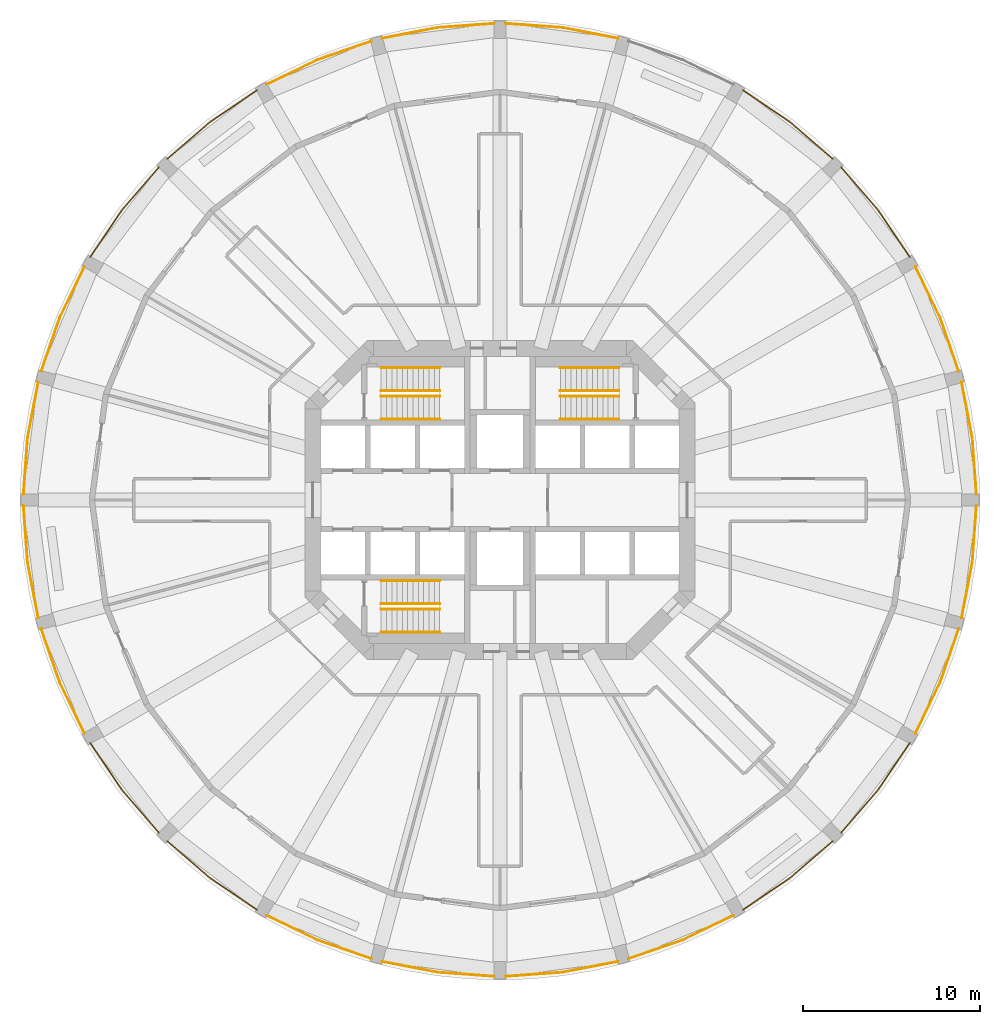
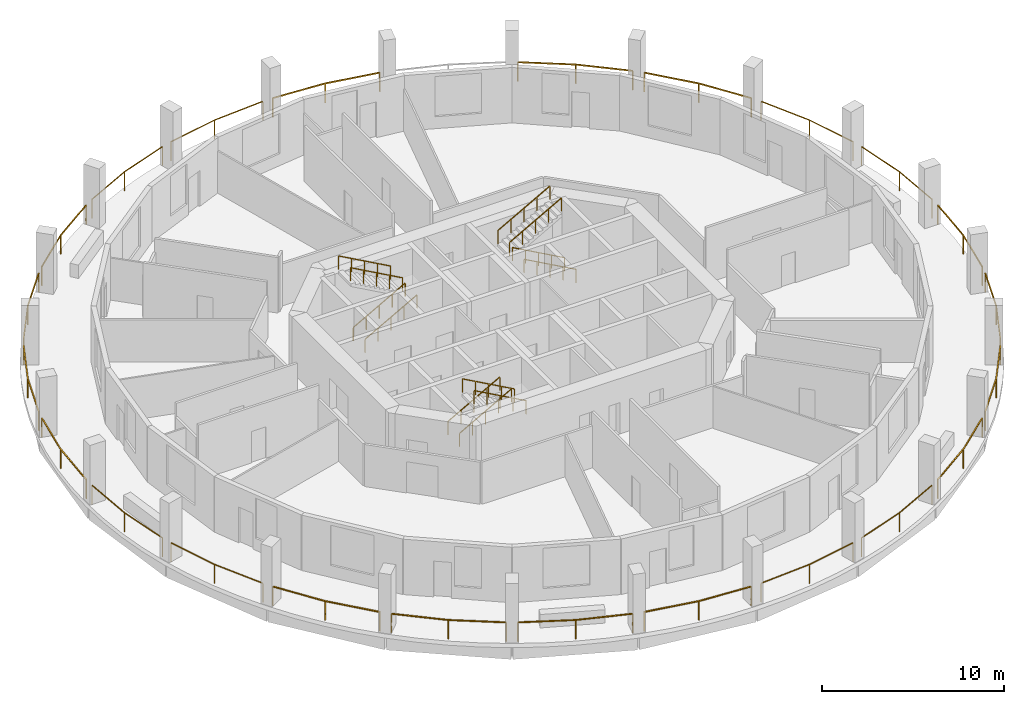
# One storey, part 8 of 9: 35 railings.
"""IFC4 building model written with IfcOpenShell, lengths in metres."""

from ifc_helpers import new_model, si_unit, direction, frame, origin, origin_2d, place, context, subcontext, project, spatial, rectangle, extrude, material, type_object, element, save


model = new_model("IFC4")

# Units and contexts
model_context = context("Model", 3, precision=1e-05, world=origin(), true_north=direction((0.0, 1.0)))
body_context = subcontext(model_context, "Body", "Model", "MODEL_VIEW")
ifc_project = project(units=[si_unit("LENGTHUNIT", "METRE"), si_unit("AREAUNIT", "SQUARE_METRE"), si_unit("VOLUMEUNIT", "CUBIC_METRE"), si_unit("PLANEANGLEUNIT", "RADIAN"), si_unit("MASSUNIT", "GRAM", prefix="KILO")], contexts=[model_context])

# Site, building, storey
site_placement = place(None, origin())
site = spatial("IfcSite", under=ifc_project, at=site_placement, CompositionType="ELEMENT")
building_placement = place(site_placement, origin())
building = spatial("IfcBuilding", under=site, at=building_placement, Name="Torre Triforio", CompositionType="ELEMENT")
storey_placement = place(building_placement, frame((0.0, 0.0, 31.0)))
storey = spatial("IfcBuildingStorey", under=building, at=storey_placement, Name="L05", CompositionType="ELEMENT", Elevation=31.0)

# Railings
ifc_material = material(Name="Stainless steel AISI 316", Category="steel")
railing_type_1 = type_object("IfcRailingType", Name="HANDRAIL 920", PredefinedType="HANDRAIL", material=ifc_material)
for number, where, name in (
    (1, (-6.699951171875, 4.550048828125, 0.166748046875), "Handrail ST1"),
    (2, (-6.699951171875, 5.85009765625, 0.166748046875), "Handrail ST1"),
):
    element("IfcRailing", number, at=place(storey_placement, frame(where)), inside=storey, type_object=railing_type_1, Name=name, PredefinedType="HANDRAIL", context=body_context, shape_type="SweptSolid", body=[
        extrude(rectangle(XDim=0.048095703125, YDim=0.048095703125, at=origin_2d()), frame((0.0, 0.0, 0.89599609375), z_axis=(0.874169478083, 0.0, 0.485620966999), x_axis=(0.0, 1.0, 0.0)), (0.0, 0.0, 1.0), 3.775146484375),
        extrude(rectangle(XDim=0.0419921875, YDim=0.0419921875, at=origin_2d()), origin(), (0.0, 0.0, 1.0), 0.871826171875),
        extrude(rectangle(XDim=0.0419921875, YDim=0.0419921875, at=origin_2d()), frame((0.824951171875, 0.0, 0.458251953125)), (0.0, 0.0, 1.0), 0.871826171875),
        extrude(rectangle(XDim=0.0419921875, YDim=0.0419921875, at=origin_2d()), frame((1.64990234375, 0.0, 0.91650390625)), (0.0, 0.0, 1.0), 0.871826171875),
        extrude(rectangle(XDim=0.0419921875, YDim=0.0419921875, at=origin_2d()), frame((2.47509765625, 0.0, 1.375)), (0.0, 0.0, 1.0), 0.871826171875),
        extrude(rectangle(XDim=0.0419921875, YDim=0.0419921875, at=origin_2d()), frame((3.300048828125, 0.0, 1.833251953125)), (0.0, 0.0, 1.0), 0.871826171875),
    ])
for number, where, name in (
    (3, (-3.39990234375, 7.449951171875, 2.166748046875), "Handrail ST1"),
    (4, (-3.39990234375, 6.14990234375, 2.166748046875), "Handrail ST1"),
    (5, (6.699951171875, 4.550048828125, 0.166748046875), "Handrail ST2"),
    (6, (6.699951171875, 5.85009765625, 0.166748046875), "Handrail ST2"),
):
    element("IfcRailing", number, at=place(storey_placement, frame(where)), inside=storey, type_object=railing_type_1, Name=name, PredefinedType="HANDRAIL", context=body_context, shape_type="SweptSolid", body=[
        extrude(rectangle(XDim=0.048095703125, YDim=0.048095703125, at=origin_2d()), frame((0.0, 0.0, 0.89599609375), z_axis=(-0.874169478083, 0.0, 0.485620966999), x_axis=(0.0, -1.0, 0.0)), (0.0, 0.0, 1.0), 3.775146484375),
        extrude(rectangle(XDim=0.0419921875, YDim=0.0419921875, at=origin_2d()), origin(), (0.0, 0.0, 1.0), 0.871826171875),
        extrude(rectangle(XDim=0.0419921875, YDim=0.0419921875, at=origin_2d()), frame((-0.824951171875, 0.0, 0.458251953125)), (0.0, 0.0, 1.0), 0.871826171875),
        extrude(rectangle(XDim=0.0419921875, YDim=0.0419921875, at=origin_2d()), frame((-1.64990234375, 0.0, 0.91650390625)), (0.0, 0.0, 1.0), 0.871826171875),
        extrude(rectangle(XDim=0.0419921875, YDim=0.0419921875, at=origin_2d()), frame((-2.47509765625, 0.0, 1.375)), (0.0, 0.0, 1.0), 0.871826171875),
        extrude(rectangle(XDim=0.0419921875, YDim=0.0419921875, at=origin_2d()), frame((-3.300048828125, 0.0, 1.833251953125)), (0.0, 0.0, 1.0), 0.871826171875),
    ])
for number, where, name in (
    (7, (3.39990234375, 7.449951171875, 2.166748046875), "Handrail ST2"),
    (8, (3.39990234375, 6.14990234375, 2.166748046875), "Handrail ST2"),
    (9, (-6.699951171875, -4.550048828125, 0.166748046875), "Handrail ST3"),
    (10, (-6.699951171875, -5.85009765625, 0.166748046875), "Handrail ST3"),
):
    element("IfcRailing", number, at=place(storey_placement, frame(where)), inside=storey, type_object=railing_type_1, Name=name, PredefinedType="HANDRAIL", context=body_context, shape_type="SweptSolid", body=[
        extrude(rectangle(XDim=0.048095703125, YDim=0.048095703125, at=origin_2d()), frame((0.0, 0.0, 0.89599609375), z_axis=(0.874169478083, 0.0, 0.485620966999), x_axis=(0.0, 1.0, 0.0)), (0.0, 0.0, 1.0), 3.775146484375),
        extrude(rectangle(XDim=0.0419921875, YDim=0.0419921875, at=origin_2d()), origin(), (0.0, 0.0, 1.0), 0.871826171875),
        extrude(rectangle(XDim=0.0419921875, YDim=0.0419921875, at=origin_2d()), frame((0.824951171875, 0.0, 0.458251953125)), (0.0, 0.0, 1.0), 0.871826171875),
        extrude(rectangle(XDim=0.0419921875, YDim=0.0419921875, at=origin_2d()), frame((1.64990234375, 0.0, 0.91650390625)), (0.0, 0.0, 1.0), 0.871826171875),
        extrude(rectangle(XDim=0.0419921875, YDim=0.0419921875, at=origin_2d()), frame((2.47509765625, 0.0, 1.375)), (0.0, 0.0, 1.0), 0.871826171875),
        extrude(rectangle(XDim=0.0419921875, YDim=0.0419921875, at=origin_2d()), frame((3.300048828125, 0.0, 1.833251953125)), (0.0, 0.0, 1.0), 0.871826171875),
    ])
for number, where, name in (
    (11, (-3.39990234375, -7.449951171875, 2.166748046875), "Handrail ST3"),
    (12, (-3.39990234375, -6.14990234375, 2.166748046875), "Handrail ST3"),
):
    element("IfcRailing", number, at=place(storey_placement, frame(where)), inside=storey, type_object=railing_type_1, Name=name, PredefinedType="HANDRAIL", context=body_context, shape_type="SweptSolid", body=[
        extrude(rectangle(XDim=0.048095703125, YDim=0.048095703125, at=origin_2d()), frame((0.0, 0.0, 0.89599609375), z_axis=(-0.874169478083, 0.0, 0.485620966999), x_axis=(0.0, -1.0, 0.0)), (0.0, 0.0, 1.0), 3.775146484375),
        extrude(rectangle(XDim=0.0419921875, YDim=0.0419921875, at=origin_2d()), origin(), (0.0, 0.0, 1.0), 0.871826171875),
        extrude(rectangle(XDim=0.0419921875, YDim=0.0419921875, at=origin_2d()), frame((-0.824951171875, 0.0, 0.458251953125)), (0.0, 0.0, 1.0), 0.871826171875),
        extrude(rectangle(XDim=0.0419921875, YDim=0.0419921875, at=origin_2d()), frame((-1.64990234375, 0.0, 0.91650390625)), (0.0, 0.0, 1.0), 0.871826171875),
        extrude(rectangle(XDim=0.0419921875, YDim=0.0419921875, at=origin_2d()), frame((-2.47509765625, 0.0, 1.375)), (0.0, 0.0, 1.0), 0.871826171875),
        extrude(rectangle(XDim=0.0419921875, YDim=0.0419921875, at=origin_2d()), frame((-3.300048828125, 0.0, 1.833251953125)), (0.0, 0.0, 1.0), 0.871826171875),
    ])
railing_type_2 = type_object("IfcRailingType", Name="Loggia guard 1300", PredefinedType="GUARDRAIL", material=ifc_material)
railing_1_placement = place(storey_placement, frame((26.85009765625, 0.320068359375, 0.0)))
element("IfcRailing", 13, at=railing_1_placement, inside=storey, type_object=railing_type_2, Name="Loggia guard L05 bay 01", PredefinedType="GUARDRAIL", context=body_context, shape_type="SweptSolid", body=[
    extrude(rectangle(XDim=0.050048828125, YDim=0.050048828125, at=origin_2d()), frame((0.0, 0.0, 1.27490234375), z_axis=(-0.071953458998, 0.997407990613, 0.0), x_axis=(-0.997407990613, -0.071953458998, 0.0)), (0.0, 0.0, 1.0), 3.19287109375),
    extrude(rectangle(XDim=0.050048828125, YDim=0.050048828125, at=origin_2d()), frame((-0.229736328125, 3.1845703125, 1.27490234375), z_axis=(-0.188714097365, 0.982032071501, 0.0), x_axis=(-0.982032071501, -0.188714097365, 0.0)), (0.0, 0.0, 1.0), 3.19287109375),
    extrude(rectangle(XDim=0.0400390625, YDim=0.0400390625, at=origin_2d()), origin(), (0.0, 0.0, 1.0), 1.25),
    extrude(rectangle(XDim=0.0400390625, YDim=0.0400390625, at=origin_2d()), frame((-0.229736328125, 3.1845703125, 0.0)), (0.0, 0.0, 1.0), 1.25),
    extrude(rectangle(XDim=0.0400390625, YDim=0.0400390625, at=origin_2d()), frame((-0.832275390625, 6.320068359375, 0.0)), (0.0, 0.0, 1.0), 1.25),
])
railing_2_placement = place(storey_placement, frame((25.852294921875, 7.25830078125, 0.0)))
element("IfcRailing", 14, at=railing_2_placement, inside=storey, type_object=railing_type_2, Name="Loggia guard L05 bay 02", PredefinedType="GUARDRAIL", context=body_context, shape_type="SweptSolid", body=[
    extrude(rectangle(XDim=0.050048828125, YDim=0.050048828125, at=origin_2d()), frame((0.0, 0.0, 1.27490234375), z_axis=(-0.327627852034, 0.94480685358, 0.0), x_axis=(-0.94480685358, -0.327627852034, 0.0)), (0.0, 0.0, 1.0), 3.193115234375),
    extrude(rectangle(XDim=0.050048828125, YDim=0.050048828125, at=origin_2d()), frame((-1.046142578125, 3.016845703125, 1.27490234375), z_axis=(-0.436384192305, 0.899760432952, 0.0), x_axis=(-0.899760432952, -0.436384192305, 0.0)), (0.0, 0.0, 1.0), 3.19287109375),
    extrude(rectangle(XDim=0.0400390625, YDim=0.0400390625, at=origin_2d()), origin(), (0.0, 0.0, 1.0), 1.25),
    extrude(rectangle(XDim=0.0400390625, YDim=0.0400390625, at=origin_2d()), frame((-1.046142578125, 3.016845703125, 0.0)), (0.0, 0.0, 1.0), 1.25),
    extrude(rectangle(XDim=0.0400390625, YDim=0.0400390625, at=origin_2d()), frame((-2.439453125, 5.8896484375, 0.0)), (0.0, 0.0, 1.0), 1.25),
])
railing_3_placement = place(storey_placement, frame((23.0927734375, 13.7021484375, 0.0)))
element("IfcRailing", 15, at=railing_3_placement, inside=storey, type_object=railing_type_2, Name="Loggia guard L05 bay 03", PredefinedType="GUARDRAIL", context=body_context, shape_type="SweptSolid", body=[
    extrude(rectangle(XDim=0.050048828125, YDim=0.050048828125, at=origin_2d()), frame((0.0, 0.0, 1.27490234375), z_axis=(-0.561018896338, 0.82780299465, 0.0), x_axis=(-0.82780299465, -0.561018896338, 0.0)), (0.0, 0.0, 1.0), 3.19287109375),
    extrude(rectangle(XDim=0.050048828125, YDim=0.050048828125, at=origin_2d()), frame((-1.791259765625, 2.64306640625, 1.27490234375), z_axis=(-0.654385993255, 0.756160678581, 0.0), x_axis=(-0.756160678581, -0.654385993255, 0.0)), (0.0, 0.0, 1.0), 3.19287109375),
    extrude(rectangle(XDim=0.0400390625, YDim=0.0400390625, at=origin_2d()), origin(), (0.0, 0.0, 1.0), 1.25),
    extrude(rectangle(XDim=0.0400390625, YDim=0.0400390625, at=origin_2d()), frame((-1.791259765625, 2.64306640625, 0.0)), (0.0, 0.0, 1.0), 1.25),
    extrude(rectangle(XDim=0.0400390625, YDim=0.0400390625, at=origin_2d()), frame((-3.880615234375, 5.057373046875, 0.0)), (0.0, 0.0, 1.0), 1.25),
])
railing_4_placement = place(storey_placement, frame((18.759521484375, 19.212158203125, 0.0)))
element("IfcRailing", 16, at=railing_4_placement, inside=storey, type_object=railing_type_2, Name="Loggia guard L05 bay 04", PredefinedType="GUARDRAIL", context=body_context, shape_type="SweptSolid", body=[
    extrude(rectangle(XDim=0.050048828125, YDim=0.050048828125, at=origin_2d()), frame((0.0, 0.0, 1.27490234375), z_axis=(-0.756160678581, 0.654385993255, 0.0), x_axis=(-0.654385993255, -0.756160678581, 0.0)), (0.0, 0.0, 1.0), 3.19287109375),
    extrude(rectangle(XDim=0.050048828125, YDim=0.050048828125, at=origin_2d()), frame((-2.414306640625, 2.08935546875, 1.27490234375), z_axis=(-0.82780299465, 0.561018896338, 0.0), x_axis=(-0.561018896338, -0.82780299465, 0.0)), (0.0, 0.0, 1.0), 3.19287109375),
    extrude(rectangle(XDim=0.0400390625, YDim=0.0400390625, at=origin_2d()), origin(), (0.0, 0.0, 1.0), 1.25),
    extrude(rectangle(XDim=0.0400390625, YDim=0.0400390625, at=origin_2d()), frame((-2.414306640625, 2.08935546875, 0.0)), (0.0, 0.0, 1.0), 1.25),
    extrude(rectangle(XDim=0.0400390625, YDim=0.0400390625, at=origin_2d()), frame((-5.057373046875, 3.880615234375, 0.0)), (0.0, 0.0, 1.0), 1.25),
])
railing_5_placement = place(storey_placement, frame((6.64013671875, 26.017822265625, 0.0)))
element("IfcRailing", 17, at=railing_5_placement, inside=storey, type_object=railing_type_2, Name="Loggia guard L05 bay 06", PredefinedType="GUARDRAIL", context=body_context, shape_type="SweptSolid", body=[
    extrude(rectangle(XDim=0.050048828125, YDim=0.050048828125, at=origin_2d()), frame((0.0, 0.0, 1.27490234375), z_axis=(-0.982032071501, 0.188714097365, 0.0), x_axis=(-0.188714097365, -0.982032071501, 0.0)), (0.0, 0.0, 1.0), 3.19287109375),
    extrude(rectangle(XDim=0.050048828125, YDim=0.050048828125, at=origin_2d()), frame((-3.135498046875, 0.6025390625, 1.27490234375), z_axis=(-0.997407990613, 0.071953458998, 0.0), x_axis=(-0.071953458998, -0.997407990613, 0.0)), (0.0, 0.0, 1.0), 3.19287109375),
    extrude(rectangle(XDim=0.0400390625, YDim=0.0400390625, at=origin_2d()), origin(), (0.0, 0.0, 1.0), 1.25),
    extrude(rectangle(XDim=0.0400390625, YDim=0.0400390625, at=origin_2d()), frame((-3.135498046875, 0.6025390625, 0.0)), (0.0, 0.0, 1.0), 1.25),
    extrude(rectangle(XDim=0.0400390625, YDim=0.0400390625, at=origin_2d()), frame((-6.320068359375, 0.832275390625, 0.0)), (0.0, 0.0, 1.0), 1.25),
])
railing_6_placement = place(storey_placement, frame((-0.320068359375, 26.85009765625, 0.0)))
element("IfcRailing", 18, at=railing_6_placement, inside=storey, type_object=railing_type_2, Name="Loggia guard L05 bay 07", PredefinedType="GUARDRAIL", context=body_context, shape_type="SweptSolid", body=[
    extrude(rectangle(XDim=0.050048828125, YDim=0.050048828125, at=origin_2d()), frame((0.0, 0.0, 1.27490234375), z_axis=(-0.997407990613, -0.071953458998, 0.0), x_axis=(0.071953458998, -0.997407990613, 0.0)), (0.0, 0.0, 1.0), 3.19287109375),
    extrude(rectangle(XDim=0.050048828125, YDim=0.050048828125, at=origin_2d()), frame((-3.1845703125, -0.229736328125, 1.27490234375), z_axis=(-0.982032071501, -0.188714097365, 0.0), x_axis=(0.188714097365, -0.982032071501, 0.0)), (0.0, 0.0, 1.0), 3.19287109375),
    extrude(rectangle(XDim=0.0400390625, YDim=0.0400390625, at=origin_2d()), origin(), (0.0, 0.0, 1.0), 1.25),
    extrude(rectangle(XDim=0.0400390625, YDim=0.0400390625, at=origin_2d()), frame((-3.1845703125, -0.229736328125, 0.0)), (0.0, 0.0, 1.0), 1.25),
    extrude(rectangle(XDim=0.0400390625, YDim=0.0400390625, at=origin_2d()), frame((-6.320068359375, -0.832275390625, 0.0)), (0.0, 0.0, 1.0), 1.25),
])
railing_7_placement = place(storey_placement, frame((-7.25830078125, 25.852294921875, 0.0)))
element("IfcRailing", 19, at=railing_7_placement, inside=storey, type_object=railing_type_2, Name="Loggia guard L05 bay 08", PredefinedType="GUARDRAIL", context=body_context, shape_type="SweptSolid", body=[
    extrude(rectangle(XDim=0.050048828125, YDim=0.050048828125, at=origin_2d()), frame((0.0, 0.0, 1.27490234375), z_axis=(-0.94480685358, -0.327627852034, 0.0), x_axis=(0.327627852034, -0.94480685358, 0.0)), (0.0, 0.0, 1.0), 3.193115234375),
    extrude(rectangle(XDim=0.050048828125, YDim=0.050048828125, at=origin_2d()), frame((-3.016845703125, -1.046142578125, 1.27490234375), z_axis=(-0.899760432952, -0.436384192305, 0.0), x_axis=(0.436384192305, -0.899760432952, 0.0)), (0.0, 0.0, 1.0), 3.19287109375),
    extrude(rectangle(XDim=0.0400390625, YDim=0.0400390625, at=origin_2d()), origin(), (0.0, 0.0, 1.0), 1.25),
    extrude(rectangle(XDim=0.0400390625, YDim=0.0400390625, at=origin_2d()), frame((-3.016845703125, -1.046142578125, 0.0)), (0.0, 0.0, 1.0), 1.25),
    extrude(rectangle(XDim=0.0400390625, YDim=0.0400390625, at=origin_2d()), frame((-5.8896484375, -2.439453125, 0.0)), (0.0, 0.0, 1.0), 1.25),
])
railing_8_placement = place(storey_placement, frame((-13.7021484375, 23.0927734375, 0.0)))
element("IfcRailing", 20, at=railing_8_placement, inside=storey, type_object=railing_type_2, Name="Loggia guard L05 bay 09", PredefinedType="GUARDRAIL", context=body_context, shape_type="SweptSolid", body=[
    extrude(rectangle(XDim=0.050048828125, YDim=0.050048828125, at=origin_2d()), frame((0.0, 0.0, 1.27490234375), z_axis=(-0.82780299465, -0.561018896338, 0.0), x_axis=(0.561018896338, -0.82780299465, 0.0)), (0.0, 0.0, 1.0), 3.19287109375),
    extrude(rectangle(XDim=0.050048828125, YDim=0.050048828125, at=origin_2d()), frame((-2.64306640625, -1.791259765625, 1.27490234375), z_axis=(-0.756160678581, -0.654385993255, 0.0), x_axis=(0.654385993255, -0.756160678581, 0.0)), (0.0, 0.0, 1.0), 3.19287109375),
    extrude(rectangle(XDim=0.0400390625, YDim=0.0400390625, at=origin_2d()), origin(), (0.0, 0.0, 1.0), 1.25),
    extrude(rectangle(XDim=0.0400390625, YDim=0.0400390625, at=origin_2d()), frame((-2.64306640625, -1.791259765625, 0.0)), (0.0, 0.0, 1.0), 1.25),
    extrude(rectangle(XDim=0.0400390625, YDim=0.0400390625, at=origin_2d()), frame((-5.057373046875, -3.880615234375, 0.0)), (0.0, 0.0, 1.0), 1.25),
])
railing_9_placement = place(storey_placement, frame((-19.212158203125, 18.759521484375, 0.0)))
element("IfcRailing", 21, at=railing_9_placement, inside=storey, type_object=railing_type_2, Name="Loggia guard L05 bay 10", PredefinedType="GUARDRAIL", context=body_context, shape_type="SweptSolid", body=[
    extrude(rectangle(XDim=0.050048828125, YDim=0.050048828125, at=origin_2d()), frame((0.0, 0.0, 1.27490234375), z_axis=(-0.654385993255, -0.756160678581, 0.0), x_axis=(0.756160678581, -0.654385993255, 0.0)), (0.0, 0.0, 1.0), 3.19287109375),
    extrude(rectangle(XDim=0.050048828125, YDim=0.050048828125, at=origin_2d()), frame((-2.08935546875, -2.414306640625, 1.27490234375), z_axis=(-0.561018896338, -0.82780299465, 0.0), x_axis=(0.82780299465, -0.561018896338, 0.0)), (0.0, 0.0, 1.0), 3.19287109375),
    extrude(rectangle(XDim=0.0400390625, YDim=0.0400390625, at=origin_2d()), origin(), (0.0, 0.0, 1.0), 1.25),
    extrude(rectangle(XDim=0.0400390625, YDim=0.0400390625, at=origin_2d()), frame((-2.08935546875, -2.414306640625, 0.0)), (0.0, 0.0, 1.0), 1.25),
    extrude(rectangle(XDim=0.0400390625, YDim=0.0400390625, at=origin_2d()), frame((-3.880615234375, -5.057373046875, 0.0)), (0.0, 0.0, 1.0), 1.25),
])
railing_10_placement = place(storey_placement, frame((-23.412841796875, 13.14794921875, 0.0)))
element("IfcRailing", 22, at=railing_10_placement, inside=storey, type_object=railing_type_2, Name="Loggia guard L05 bay 11", PredefinedType="GUARDRAIL", context=body_context, shape_type="SweptSolid", body=[
    extrude(rectangle(XDim=0.050048828125, YDim=0.050048828125, at=origin_2d()), frame((0.0, 0.0, 1.27490234375), z_axis=(-0.436384192305, -0.899760432952, 0.0), x_axis=(0.899760432952, -0.436384192305, 0.0)), (0.0, 0.0, 1.0), 3.19287109375),
    extrude(rectangle(XDim=0.050048828125, YDim=0.050048828125, at=origin_2d()), frame((-1.393310546875, -2.872802734375, 1.27490234375), z_axis=(-0.327627852034, -0.94480685358, 0.0), x_axis=(0.94480685358, -0.327627852034, 0.0)), (0.0, 0.0, 1.0), 3.193115234375),
    extrude(rectangle(XDim=0.0400390625, YDim=0.0400390625, at=origin_2d()), origin(), (0.0, 0.0, 1.0), 1.25),
    extrude(rectangle(XDim=0.0400390625, YDim=0.0400390625, at=origin_2d()), frame((-1.393310546875, -2.872802734375, 0.0)), (0.0, 0.0, 1.0), 1.25),
    extrude(rectangle(XDim=0.0400390625, YDim=0.0400390625, at=origin_2d()), frame((-2.439453125, -5.8896484375, 0.0)), (0.0, 0.0, 1.0), 1.25),
])
railing_11_placement = place(storey_placement, frame((-26.017822265625, 6.64013671875, 0.0)))
element("IfcRailing", 23, at=railing_11_placement, inside=storey, type_object=railing_type_2, Name="Loggia guard L05 bay 12", PredefinedType="GUARDRAIL", context=body_context, shape_type="SweptSolid", body=[
    extrude(rectangle(XDim=0.050048828125, YDim=0.050048828125, at=origin_2d()), frame((0.0, 0.0, 1.27490234375), z_axis=(-0.188714097365, -0.982032071501, 0.0), x_axis=(0.982032071501, -0.188714097365, 0.0)), (0.0, 0.0, 1.0), 3.19287109375),
    extrude(rectangle(XDim=0.050048828125, YDim=0.050048828125, at=origin_2d()), frame((-0.6025390625, -3.135498046875, 1.27490234375), z_axis=(-0.071953458998, -0.997407990613, 0.0), x_axis=(0.997407990613, -0.071953458998, 0.0)), (0.0, 0.0, 1.0), 3.19287109375),
    extrude(rectangle(XDim=0.0400390625, YDim=0.0400390625, at=origin_2d()), origin(), (0.0, 0.0, 1.0), 1.25),
    extrude(rectangle(XDim=0.0400390625, YDim=0.0400390625, at=origin_2d()), frame((-0.6025390625, -3.135498046875, 0.0)), (0.0, 0.0, 1.0), 1.25),
    extrude(rectangle(XDim=0.0400390625, YDim=0.0400390625, at=origin_2d()), frame((-0.832275390625, -6.320068359375, 0.0)), (0.0, 0.0, 1.0), 1.25),
])
railing_12_placement = place(storey_placement, frame((-26.85009765625, -0.320068359375, 0.0)))
element("IfcRailing", 24, at=railing_12_placement, inside=storey, type_object=railing_type_2, Name="Loggia guard L05 bay 13", PredefinedType="GUARDRAIL", context=body_context, shape_type="SweptSolid", body=[
    extrude(rectangle(XDim=0.050048828125, YDim=0.050048828125, at=origin_2d()), frame((0.0, 0.0, 1.27490234375), z_axis=(0.071953458998, -0.997407990613, 0.0), x_axis=(0.997407990613, 0.071953458998, 0.0)), (0.0, 0.0, 1.0), 3.19287109375),
    extrude(rectangle(XDim=0.050048828125, YDim=0.050048828125, at=origin_2d()), frame((0.229736328125, -3.1845703125, 1.27490234375), z_axis=(0.188714097365, -0.982032071501, 0.0), x_axis=(0.982032071501, 0.188714097365, 0.0)), (0.0, 0.0, 1.0), 3.19287109375),
    extrude(rectangle(XDim=0.0400390625, YDim=0.0400390625, at=origin_2d()), origin(), (0.0, 0.0, 1.0), 1.25),
    extrude(rectangle(XDim=0.0400390625, YDim=0.0400390625, at=origin_2d()), frame((0.229736328125, -3.1845703125, 0.0)), (0.0, 0.0, 1.0), 1.25),
    extrude(rectangle(XDim=0.0400390625, YDim=0.0400390625, at=origin_2d()), frame((0.832275390625, -6.320068359375, 0.0)), (0.0, 0.0, 1.0), 1.25),
])
railing_13_placement = place(storey_placement, frame((-25.852294921875, -7.25830078125, 0.0)))
element("IfcRailing", 25, at=railing_13_placement, inside=storey, type_object=railing_type_2, Name="Loggia guard L05 bay 14", PredefinedType="GUARDRAIL", context=body_context, shape_type="SweptSolid", body=[
    extrude(rectangle(XDim=0.050048828125, YDim=0.050048828125, at=origin_2d()), frame((0.0, 0.0, 1.27490234375), z_axis=(0.327627852034, -0.94480685358, 0.0), x_axis=(0.94480685358, 0.327627852034, 0.0)), (0.0, 0.0, 1.0), 3.193115234375),
    extrude(rectangle(XDim=0.050048828125, YDim=0.050048828125, at=origin_2d()), frame((1.046142578125, -3.016845703125, 1.27490234375), z_axis=(0.436384192305, -0.899760432952, 0.0), x_axis=(0.899760432952, 0.436384192305, 0.0)), (0.0, 0.0, 1.0), 3.19287109375),
    extrude(rectangle(XDim=0.0400390625, YDim=0.0400390625, at=origin_2d()), origin(), (0.0, 0.0, 1.0), 1.25),
    extrude(rectangle(XDim=0.0400390625, YDim=0.0400390625, at=origin_2d()), frame((1.046142578125, -3.016845703125, 0.0)), (0.0, 0.0, 1.0), 1.25),
    extrude(rectangle(XDim=0.0400390625, YDim=0.0400390625, at=origin_2d()), frame((2.439453125, -5.8896484375, 0.0)), (0.0, 0.0, 1.0), 1.25),
])
railing_14_placement = place(storey_placement, frame((-23.0927734375, -13.7021484375, 0.0)))
element("IfcRailing", 26, at=railing_14_placement, inside=storey, type_object=railing_type_2, Name="Loggia guard L05 bay 15", PredefinedType="GUARDRAIL", context=body_context, shape_type="SweptSolid", body=[
    extrude(rectangle(XDim=0.050048828125, YDim=0.050048828125, at=origin_2d()), frame((0.0, 0.0, 1.27490234375), z_axis=(0.561018896338, -0.82780299465, 0.0), x_axis=(0.82780299465, 0.561018896338, 0.0)), (0.0, 0.0, 1.0), 3.19287109375),
    extrude(rectangle(XDim=0.050048828125, YDim=0.050048828125, at=origin_2d()), frame((1.791259765625, -2.64306640625, 1.27490234375), z_axis=(0.654385993255, -0.756160678581, 0.0), x_axis=(0.756160678581, 0.654385993255, 0.0)), (0.0, 0.0, 1.0), 3.19287109375),
    extrude(rectangle(XDim=0.0400390625, YDim=0.0400390625, at=origin_2d()), origin(), (0.0, 0.0, 1.0), 1.25),
    extrude(rectangle(XDim=0.0400390625, YDim=0.0400390625, at=origin_2d()), frame((1.791259765625, -2.64306640625, 0.0)), (0.0, 0.0, 1.0), 1.25),
    extrude(rectangle(XDim=0.0400390625, YDim=0.0400390625, at=origin_2d()), frame((3.880615234375, -5.057373046875, 0.0)), (0.0, 0.0, 1.0), 1.25),
])
railing_15_placement = place(storey_placement, frame((-18.759521484375, -19.212158203125, 0.0)))
element("IfcRailing", 27, at=railing_15_placement, inside=storey, type_object=railing_type_2, Name="Loggia guard L05 bay 16", PredefinedType="GUARDRAIL", context=body_context, shape_type="SweptSolid", body=[
    extrude(rectangle(XDim=0.050048828125, YDim=0.050048828125, at=origin_2d()), frame((0.0, 0.0, 1.27490234375), z_axis=(0.756160678581, -0.654385993255, 0.0), x_axis=(0.654385993255, 0.756160678581, 0.0)), (0.0, 0.0, 1.0), 3.19287109375),
    extrude(rectangle(XDim=0.050048828125, YDim=0.050048828125, at=origin_2d()), frame((2.414306640625, -2.08935546875, 1.27490234375), z_axis=(0.82780299465, -0.561018896338, 0.0), x_axis=(0.561018896338, 0.82780299465, 0.0)), (0.0, 0.0, 1.0), 3.19287109375),
    extrude(rectangle(XDim=0.0400390625, YDim=0.0400390625, at=origin_2d()), origin(), (0.0, 0.0, 1.0), 1.25),
    extrude(rectangle(XDim=0.0400390625, YDim=0.0400390625, at=origin_2d()), frame((2.414306640625, -2.08935546875, 0.0)), (0.0, 0.0, 1.0), 1.25),
    extrude(rectangle(XDim=0.0400390625, YDim=0.0400390625, at=origin_2d()), frame((5.057373046875, -3.880615234375, 0.0)), (0.0, 0.0, 1.0), 1.25),
])
railing_16_placement = place(storey_placement, frame((-13.14794921875, -23.412841796875, 0.0)))
element("IfcRailing", 28, at=railing_16_placement, inside=storey, type_object=railing_type_2, Name="Loggia guard L05 bay 17", PredefinedType="GUARDRAIL", context=body_context, shape_type="SweptSolid", body=[
    extrude(rectangle(XDim=0.050048828125, YDim=0.050048828125, at=origin_2d()), frame((0.0, 0.0, 1.27490234375), z_axis=(0.899760432952, -0.436384192305, 0.0), x_axis=(0.436384192305, 0.899760432952, 0.0)), (0.0, 0.0, 1.0), 3.19287109375),
    extrude(rectangle(XDim=0.050048828125, YDim=0.050048828125, at=origin_2d()), frame((2.872802734375, -1.393310546875, 1.27490234375), z_axis=(0.94480685358, -0.327627852034, 0.0), x_axis=(0.327627852034, 0.94480685358, 0.0)), (0.0, 0.0, 1.0), 3.193115234375),
    extrude(rectangle(XDim=0.0400390625, YDim=0.0400390625, at=origin_2d()), origin(), (0.0, 0.0, 1.0), 1.25),
    extrude(rectangle(XDim=0.0400390625, YDim=0.0400390625, at=origin_2d()), frame((2.872802734375, -1.393310546875, 0.0)), (0.0, 0.0, 1.0), 1.25),
    extrude(rectangle(XDim=0.0400390625, YDim=0.0400390625, at=origin_2d()), frame((5.8896484375, -2.439453125, 0.0)), (0.0, 0.0, 1.0), 1.25),
])
railing_17_placement = place(storey_placement, frame((-6.64013671875, -26.017822265625, 0.0)))
element("IfcRailing", 29, at=railing_17_placement, inside=storey, type_object=railing_type_2, Name="Loggia guard L05 bay 18", PredefinedType="GUARDRAIL", context=body_context, shape_type="SweptSolid", body=[
    extrude(rectangle(XDim=0.050048828125, YDim=0.050048828125, at=origin_2d()), frame((0.0, 0.0, 1.27490234375), z_axis=(0.982032071501, -0.188714097365, 0.0), x_axis=(0.188714097365, 0.982032071501, 0.0)), (0.0, 0.0, 1.0), 3.19287109375),
    extrude(rectangle(XDim=0.050048828125, YDim=0.050048828125, at=origin_2d()), frame((3.135498046875, -0.6025390625, 1.27490234375), z_axis=(0.997407990613, -0.071953458998, 0.0), x_axis=(0.071953458998, 0.997407990613, 0.0)), (0.0, 0.0, 1.0), 3.19287109375),
    extrude(rectangle(XDim=0.0400390625, YDim=0.0400390625, at=origin_2d()), origin(), (0.0, 0.0, 1.0), 1.25),
    extrude(rectangle(XDim=0.0400390625, YDim=0.0400390625, at=origin_2d()), frame((3.135498046875, -0.6025390625, 0.0)), (0.0, 0.0, 1.0), 1.25),
    extrude(rectangle(XDim=0.0400390625, YDim=0.0400390625, at=origin_2d()), frame((6.320068359375, -0.832275390625, 0.0)), (0.0, 0.0, 1.0), 1.25),
])
railing_18_placement = place(storey_placement, frame((0.320068359375, -26.85009765625, 0.0)))
element("IfcRailing", 30, at=railing_18_placement, inside=storey, type_object=railing_type_2, Name="Loggia guard L05 bay 19", PredefinedType="GUARDRAIL", context=body_context, shape_type="SweptSolid", body=[
    extrude(rectangle(XDim=0.050048828125, YDim=0.050048828125, at=origin_2d()), frame((0.0, 0.0, 1.27490234375), z_axis=(0.997407990613, 0.071953458998, 0.0), x_axis=(-0.071953458998, 0.997407990613, 0.0)), (0.0, 0.0, 1.0), 3.19287109375),
    extrude(rectangle(XDim=0.050048828125, YDim=0.050048828125, at=origin_2d()), frame((3.1845703125, 0.229736328125, 1.27490234375), z_axis=(0.982032071501, 0.188714097365, 0.0), x_axis=(-0.188714097365, 0.982032071501, 0.0)), (0.0, 0.0, 1.0), 3.19287109375),
    extrude(rectangle(XDim=0.0400390625, YDim=0.0400390625, at=origin_2d()), origin(), (0.0, 0.0, 1.0), 1.25),
    extrude(rectangle(XDim=0.0400390625, YDim=0.0400390625, at=origin_2d()), frame((3.1845703125, 0.229736328125, 0.0)), (0.0, 0.0, 1.0), 1.25),
    extrude(rectangle(XDim=0.0400390625, YDim=0.0400390625, at=origin_2d()), frame((6.320068359375, 0.832275390625, 0.0)), (0.0, 0.0, 1.0), 1.25),
])
railing_19_placement = place(storey_placement, frame((7.25830078125, -25.852294921875, 0.0)))
element("IfcRailing", 31, at=railing_19_placement, inside=storey, type_object=railing_type_2, Name="Loggia guard L05 bay 20", PredefinedType="GUARDRAIL", context=body_context, shape_type="SweptSolid", body=[
    extrude(rectangle(XDim=0.050048828125, YDim=0.050048828125, at=origin_2d()), frame((0.0, 0.0, 1.27490234375), z_axis=(0.94480685358, 0.327627852034, 0.0), x_axis=(-0.327627852034, 0.94480685358, 0.0)), (0.0, 0.0, 1.0), 3.193115234375),
    extrude(rectangle(XDim=0.050048828125, YDim=0.050048828125, at=origin_2d()), frame((3.016845703125, 1.046142578125, 1.27490234375), z_axis=(0.899760432952, 0.436384192305, 0.0), x_axis=(-0.436384192305, 0.899760432952, 0.0)), (0.0, 0.0, 1.0), 3.19287109375),
    extrude(rectangle(XDim=0.0400390625, YDim=0.0400390625, at=origin_2d()), origin(), (0.0, 0.0, 1.0), 1.25),
    extrude(rectangle(XDim=0.0400390625, YDim=0.0400390625, at=origin_2d()), frame((3.016845703125, 1.046142578125, 0.0)), (0.0, 0.0, 1.0), 1.25),
    extrude(rectangle(XDim=0.0400390625, YDim=0.0400390625, at=origin_2d()), frame((5.8896484375, 2.439453125, 0.0)), (0.0, 0.0, 1.0), 1.25),
])
railing_20_placement = place(storey_placement, frame((13.7021484375, -23.0927734375, 0.0)))
element("IfcRailing", 32, at=railing_20_placement, inside=storey, type_object=railing_type_2, Name="Loggia guard L05 bay 21", PredefinedType="GUARDRAIL", context=body_context, shape_type="SweptSolid", body=[
    extrude(rectangle(XDim=0.050048828125, YDim=0.050048828125, at=origin_2d()), frame((0.0, 0.0, 1.27490234375), z_axis=(0.82780299465, 0.561018896338, 0.0), x_axis=(-0.561018896338, 0.82780299465, 0.0)), (0.0, 0.0, 1.0), 3.19287109375),
    extrude(rectangle(XDim=0.050048828125, YDim=0.050048828125, at=origin_2d()), frame((2.64306640625, 1.791259765625, 1.27490234375), z_axis=(0.756160678581, 0.654385993255, 0.0), x_axis=(-0.654385993255, 0.756160678581, 0.0)), (0.0, 0.0, 1.0), 3.19287109375),
    extrude(rectangle(XDim=0.0400390625, YDim=0.0400390625, at=origin_2d()), origin(), (0.0, 0.0, 1.0), 1.25),
    extrude(rectangle(XDim=0.0400390625, YDim=0.0400390625, at=origin_2d()), frame((2.64306640625, 1.791259765625, 0.0)), (0.0, 0.0, 1.0), 1.25),
    extrude(rectangle(XDim=0.0400390625, YDim=0.0400390625, at=origin_2d()), frame((5.057373046875, 3.880615234375, 0.0)), (0.0, 0.0, 1.0), 1.25),
])
railing_21_placement = place(storey_placement, frame((19.212158203125, -18.759521484375, 0.0)))
element("IfcRailing", 33, at=railing_21_placement, inside=storey, type_object=railing_type_2, Name="Loggia guard L05 bay 22", PredefinedType="GUARDRAIL", context=body_context, shape_type="SweptSolid", body=[
    extrude(rectangle(XDim=0.050048828125, YDim=0.050048828125, at=origin_2d()), frame((0.0, 0.0, 1.27490234375), z_axis=(0.654385993255, 0.756160678581, 0.0), x_axis=(-0.756160678581, 0.654385993255, 0.0)), (0.0, 0.0, 1.0), 3.19287109375),
    extrude(rectangle(XDim=0.050048828125, YDim=0.050048828125, at=origin_2d()), frame((2.08935546875, 2.414306640625, 1.27490234375), z_axis=(0.561018896338, 0.82780299465, 0.0), x_axis=(-0.82780299465, 0.561018896338, 0.0)), (0.0, 0.0, 1.0), 3.19287109375),
    extrude(rectangle(XDim=0.0400390625, YDim=0.0400390625, at=origin_2d()), origin(), (0.0, 0.0, 1.0), 1.25),
    extrude(rectangle(XDim=0.0400390625, YDim=0.0400390625, at=origin_2d()), frame((2.08935546875, 2.414306640625, 0.0)), (0.0, 0.0, 1.0), 1.25),
    extrude(rectangle(XDim=0.0400390625, YDim=0.0400390625, at=origin_2d()), frame((3.880615234375, 5.057373046875, 0.0)), (0.0, 0.0, 1.0), 1.25),
])
railing_22_placement = place(storey_placement, frame((23.412841796875, -13.14794921875, 0.0)))
element("IfcRailing", 34, at=railing_22_placement, inside=storey, type_object=railing_type_2, Name="Loggia guard L05 bay 23", PredefinedType="GUARDRAIL", context=body_context, shape_type="SweptSolid", body=[
    extrude(rectangle(XDim=0.050048828125, YDim=0.050048828125, at=origin_2d()), frame((0.0, 0.0, 1.27490234375), z_axis=(0.436384192305, 0.899760432952, 0.0), x_axis=(-0.899760432952, 0.436384192305, 0.0)), (0.0, 0.0, 1.0), 3.19287109375),
    extrude(rectangle(XDim=0.050048828125, YDim=0.050048828125, at=origin_2d()), frame((1.393310546875, 2.872802734375, 1.27490234375), z_axis=(0.327627852034, 0.94480685358, 0.0), x_axis=(-0.94480685358, 0.327627852034, 0.0)), (0.0, 0.0, 1.0), 3.193115234375),
    extrude(rectangle(XDim=0.0400390625, YDim=0.0400390625, at=origin_2d()), origin(), (0.0, 0.0, 1.0), 1.25),
    extrude(rectangle(XDim=0.0400390625, YDim=0.0400390625, at=origin_2d()), frame((1.393310546875, 2.872802734375, 0.0)), (0.0, 0.0, 1.0), 1.25),
    extrude(rectangle(XDim=0.0400390625, YDim=0.0400390625, at=origin_2d()), frame((2.439453125, 5.8896484375, 0.0)), (0.0, 0.0, 1.0), 1.25),
])
railing_23_placement = place(storey_placement, frame((26.017822265625, -6.64013671875, 0.0)))
element("IfcRailing", 35, at=railing_23_placement, inside=storey, type_object=railing_type_2, Name="Loggia guard L05 bay 24", PredefinedType="GUARDRAIL", context=body_context, shape_type="SweptSolid", body=[
    extrude(rectangle(XDim=0.050048828125, YDim=0.050048828125, at=origin_2d()), frame((0.0, 0.0, 1.27490234375), z_axis=(0.188714097365, 0.982032071501, 0.0), x_axis=(-0.982032071501, 0.188714097365, 0.0)), (0.0, 0.0, 1.0), 3.19287109375),
    extrude(rectangle(XDim=0.050048828125, YDim=0.050048828125, at=origin_2d()), frame((0.6025390625, 3.135498046875, 1.27490234375), z_axis=(0.071953458998, 0.997407990613, 0.0), x_axis=(-0.997407990613, 0.071953458998, 0.0)), (0.0, 0.0, 1.0), 3.19287109375),
    extrude(rectangle(XDim=0.0400390625, YDim=0.0400390625, at=origin_2d()), origin(), (0.0, 0.0, 1.0), 1.25),
    extrude(rectangle(XDim=0.0400390625, YDim=0.0400390625, at=origin_2d()), frame((0.6025390625, 3.135498046875, 0.0)), (0.0, 0.0, 1.0), 1.25),
    extrude(rectangle(XDim=0.0400390625, YDim=0.0400390625, at=origin_2d()), frame((0.832275390625, 6.320068359375, 0.0)), (0.0, 0.0, 1.0), 1.25),
])

save(model, "model.ifc")
